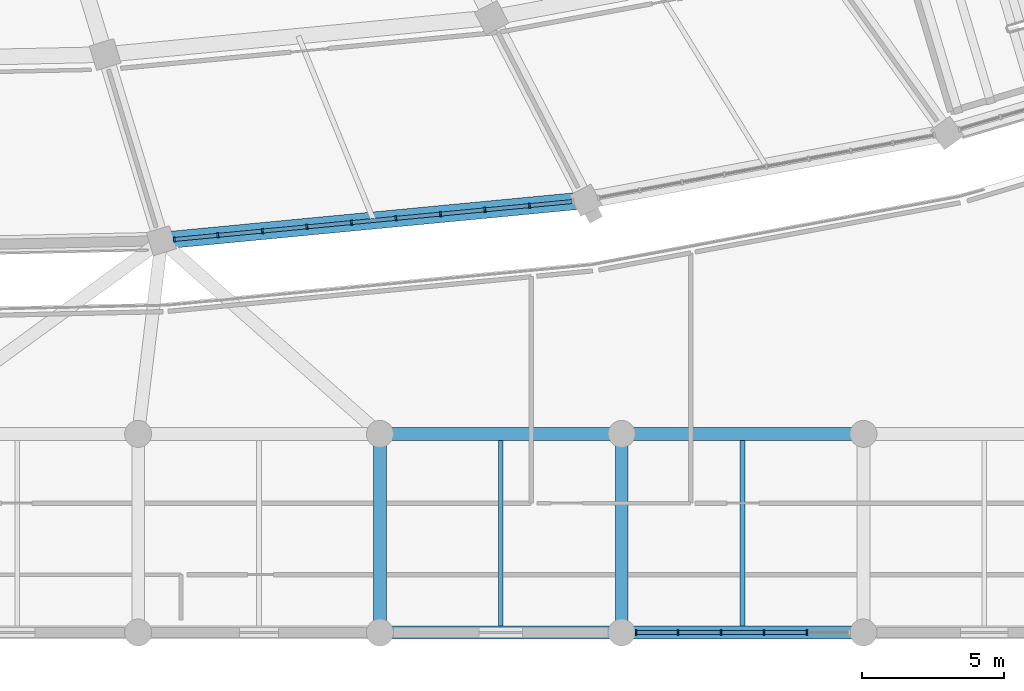
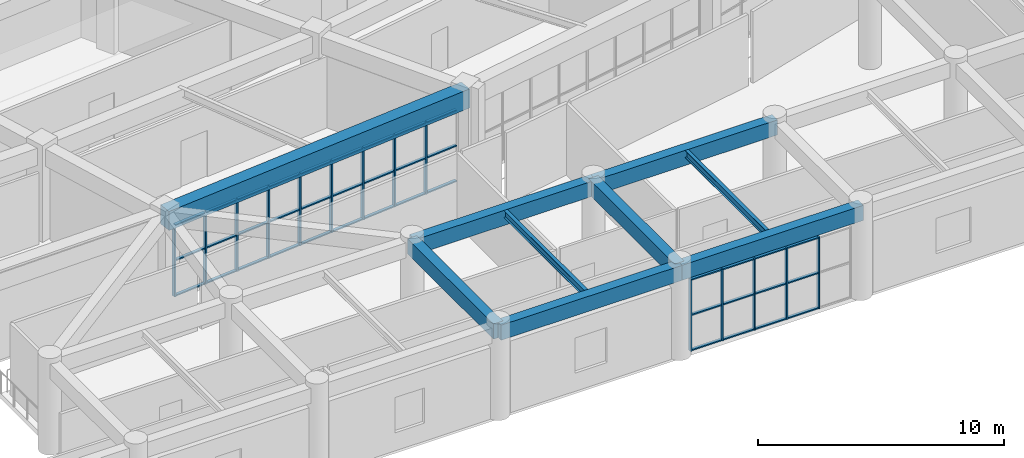
# One storey, part 34 of 152: 53 members, 9 beams, 2 elements without a shape of their own.
"""IFC4 building model written with IfcOpenShell, lengths in metres."""

import ifcopenshell
import ifcopenshell.guid

model = None  # the IFC model being written
_history = None  # IfcOwnerHistory: only IFC2X3 demands one
_inside = {}  # id of a spatial element -> (the spatial element, [elements in it])
_under = {}  # id of a project, library or spatial element -> (it, [spatial elements below it])
_declared = {}  # id of a project -> (the project, [libraries it declares])
_typed = {}  # id of a type object -> (the type object, [elements of that type])
_made_of = {}  # id of a material, layer set ... -> (it, [elements and type objects made of it])


def new_model(schema):
    """Start an empty IFC model of exactly this schema.

    Asked for "IFC4X3", IfcOpenShell would pick the latest addendum, in which some entities
    have other attributes; the version numbers below select the first issue.
    IFC2X3 requires an IfcOwnerHistory on every rooted entity: one is made here for all.
    """
    global model, _history
    if schema == "IFC4X3":
        model = ifcopenshell.file(schema_version=(4, 3, 0, 0))
    else:
        model = ifcopenshell.file(schema=schema)
    _inside.clear()
    _under.clear()
    _declared.clear()
    _typed.clear()
    _made_of.clear()
    _history = None
    if model.schema == "IFC2X3":
        org = make("IfcOrganization", Name="unknown")
        user = make(
            "IfcPersonAndOrganization",
            ThePerson=make("IfcPerson", FamilyName="unknown"),
            TheOrganization=org,
        )
        app = make(
            "IfcApplication",
            ApplicationDeveloper=org,
            Version="unknown",
            ApplicationFullName="unknown",
            ApplicationIdentifier="unknown",
        )
        _history = make(
            "IfcOwnerHistory",
            OwningUser=user,
            OwningApplication=app,
            ChangeAction="ADDED",
            CreationDate=0,
        )
    return model


def make(cls, **values):
    """One entity of the class cls with the attributes given. An attribute that is None is left unset."""
    return model.create_entity(
        cls, **{name: value for name, value in values.items() if value is not None}
    )


def rooted(cls, **values):
    """An entity with a GlobalId (a new one), such as an element, a storey or a relation."""
    return make(cls, GlobalId=ifcopenshell.guid.new(), OwnerHistory=_history, **values)


def si_unit(unit_type, name, prefix=None):
    """IfcSIUnit, for example si_unit("LENGTHUNIT", "METRE", prefix="MILLI")."""
    return make("IfcSIUnit", UnitType=unit_type, Prefix=prefix, Name=name)


def assignment(units):
    """IfcUnitAssignment: the units of a project."""
    return None if units is None else make("IfcUnitAssignment", Units=units)


def point(xyz):
    """IfcCartesianPoint."""
    return None if xyz is None else make("IfcCartesianPoint", Coordinates=xyz)


def direction(xyz):
    """IfcDirection."""
    return None if xyz is None else make("IfcDirection", DirectionRatios=xyz)


def frame(location, z_axis=None, x_axis=None):
    """IfcAxis2Placement3D, a coordinate frame: its origin and axes. An axis left out is left unset."""
    return make(
        "IfcAxis2Placement3D",
        Location=point(location),
        Axis=direction(z_axis),
        RefDirection=direction(x_axis),
    )


def frame_2d(location, x_axis=None):
    """IfcAxis2Placement2D, a coordinate frame in the plane: its origin and x axis."""
    return make(
        "IfcAxis2Placement2D", Location=point(location), RefDirection=direction(x_axis)
    )


def origin():
    """The frame at (0, 0, 0) with its axes left unset."""
    return frame((0.0, 0.0, 0.0))


def origin_2d():
    """The frame at (0, 0) in the plane with its x axis left unset."""
    return frame_2d((0.0, 0.0))


def place(relative_to, where):
    """IfcLocalPlacement: puts the frame where relative to a parent placement (None: the world)."""
    return make(
        "IfcLocalPlacement", PlacementRelTo=relative_to, RelativePlacement=where
    )


def context(
    kind, dimensions, precision=None, world=None, true_north=None, identifier=None
):
    """IfcGeometricRepresentationContext, for example the 3D "Model" context."""
    return make(
        "IfcGeometricRepresentationContext",
        ContextIdentifier=identifier,
        ContextType=kind,
        CoordinateSpaceDimension=dimensions,
        Precision=precision,
        WorldCoordinateSystem=world,
        TrueNorth=true_north,
    )


def subcontext(parent, identifier, kind, view, scale=None):
    """IfcGeometricRepresentationSubContext, for example "Body" below "Model"."""
    return make(
        "IfcGeometricRepresentationSubContext",
        ContextIdentifier=identifier,
        ContextType=kind,
        ParentContext=parent,
        TargetScale=scale,
        TargetView=view,
    )


def project(units=None, contexts=None):
    """IfcProject with its units and contexts."""
    return rooted(
        "IfcProject",
        Name="project",
        RepresentationContexts=contexts,
        UnitsInContext=assignment(units),
    )


def spatial(cls, under=None, at=None, **own):
    """A site, building, storey or space (cls), placed at a placement, below another one or the project."""
    s = rooted(cls, ObjectPlacement=at, **own)
    if under is not None:
        _under.setdefault(under.id(), (under, []))[1].append(s)
    return s


def profile(cls, at=None, kind="AREA", **sizes):
    """A parametric profile (cls). Its sizes go by their IFC names, for example OverallWidth=200.0."""
    return make(cls, ProfileType=kind, Position=at, **sizes)


def rectangle(**sizes):
    """IfcRectangleProfileDef."""
    return profile("IfcRectangleProfileDef", **sizes)


def i_section(**sizes):
    """IfcIShapeProfileDef."""
    return profile("IfcIShapeProfileDef", **sizes)


def extrude(swept, where, along, depth):
    """IfcExtrudedAreaSolid: the profile swept, set in the frame where, extruded along a direction by depth."""
    return make(
        "IfcExtrudedAreaSolid",
        SweptArea=swept,
        Position=where,
        ExtrudedDirection=direction(along),
        Depth=depth,
    )


def shape(context_of_items, identifier, shape_type, items):
    """IfcShapeRepresentation: the items that make up one representation, for example the "Body"."""
    return make(
        "IfcShapeRepresentation",
        ContextOfItems=context_of_items,
        RepresentationIdentifier=identifier,
        RepresentationType=shape_type,
        Items=items,
    )


def material(Name=None, Category=None):
    """IfcMaterial."""
    return make("IfcMaterial", Name=Name, Category=Category)


def layer(
    of_material, thickness, ventilated=None, Name=None, Category=None, Priority=None
):
    """IfcMaterialLayer: one layer of a wall or slab, of a material (None: an air gap)."""
    return make(
        "IfcMaterialLayer",
        Material=of_material,
        LayerThickness=thickness,
        IsVentilated=ventilated,
        Name=Name,
        Category=Category,
        Priority=Priority,
    )


def layer_set(layers, Name=None):
    """IfcMaterialLayerSet."""
    return make("IfcMaterialLayerSet", MaterialLayers=layers, LayerSetName=Name)


def material_profile(
    of_material, cross_section, Name=None, Category=None, Priority=None
):
    """IfcMaterialProfile: a cross section and its material."""
    return make(
        "IfcMaterialProfile",
        Name=Name,
        Material=of_material,
        Profile=cross_section,
        Priority=Priority,
        Category=Category,
    )


def profile_set(profiles, Name=None, composite=None):
    """IfcMaterialProfileSet."""
    return make(
        "IfcMaterialProfileSet",
        Name=Name,
        MaterialProfiles=profiles,
        CompositeProfile=composite,
    )


def made_of(thing, what):
    """Note that an element or type object is made of a material, layer set ...; save() writes the relation."""
    if what is not None:
        _made_of.setdefault(what.id(), (what, []))[1].append(thing)
    return thing


def type_object(cls, material=None, **own):
    """A type object (cls), such as IfcWallType, which elements share."""
    return made_of(rooted(cls, **own), material)


def element(
    cls,
    number,
    at=None,
    inside=None,
    cuts=None,
    type_object=None,
    material=None,
    context=None,
    identifier="Body",
    shape_type=None,
    held_by="IfcProductDefinitionShape",
    body=None,
    shapes=None,
    **own,
):
    """One element of the class cls, such as IfcWall. Its Tag is "e" and its number.

    at: its placement. inside: the storey or other place that contains it. cuts: it is an
    opening in that element (IfcRelVoidsElement). A single representation is given by context,
    identifier, shape_type and body (its items); several are given by shapes. held_by: the class
    of the entity that holds the representations. save() writes the other relations.
    """
    e = rooted(cls, Tag="e%d" % number, ObjectPlacement=at, **own)
    if body is not None:
        shapes = [shape(context, identifier, shape_type, body)]
    if shapes is not None:
        e.Representation = make(held_by, Representations=shapes)
    if inside is not None:
        _inside.setdefault(inside.id(), (inside, []))[1].append(e)
    if cuts is not None:
        rooted(
            "IfcRelVoidsElement", RelatingBuildingElement=cuts, RelatedOpeningElement=e
        )
    if type_object is not None:
        _typed.setdefault(type_object.id(), (type_object, []))[1].append(e)
    return made_of(e, material)


def aggregate(whole, parts):
    """IfcRelAggregates: a whole, such as a stair, and the parts it consists of."""
    return rooted("IfcRelAggregates", RelatingObject=whole, RelatedObjects=parts)


def save(model, path):
    """Write the relations noted so far, then the file.

    IfcRelAggregates (storeys below a building ...), IfcRelContainedInSpatialStructure (elements
    in a storey), IfcRelDefinesByType, IfcRelAssociatesMaterial and IfcRelDeclares: one each for
    every whole, place, type object, material and project.
    """
    for whole, parts in _under.values():
        aggregate(whole, parts)
    for where, things in _inside.values():
        rooted(
            "IfcRelContainedInSpatialStructure",
            RelatedElements=things,
            RelatingStructure=where,
        )
    for kind, things in _typed.values():
        rooted("IfcRelDefinesByType", RelatedObjects=things, RelatingType=kind)
    for what, things in _made_of.values():
        rooted("IfcRelAssociatesMaterial", RelatedObjects=things, RelatingMaterial=what)
    for by, libraries in _declared.values():
        rooted("IfcRelDeclares", RelatingContext=by, RelatedDefinitions=libraries)
    model.write(path)


model = new_model("IFC4")

# Units and contexts
model_context = context("Model", 3, precision=1e-05, world=origin(), true_north=direction((0.0, 1.0)))
body_context = subcontext(model_context, "Body", "Model", "MODEL_VIEW")
ifc_project = project(units=[si_unit("LENGTHUNIT", "METRE"), si_unit("AREAUNIT", "SQUARE_METRE"), si_unit("VOLUMEUNIT", "CUBIC_METRE"), si_unit("PLANEANGLEUNIT", "RADIAN"), si_unit("MASSUNIT", "GRAM", prefix="KILO")], contexts=[model_context])

# Site, building, storey
site_placement = place(None, origin())
site = spatial("IfcSite", under=ifc_project, at=site_placement, CompositionType="ELEMENT")
building_placement = place(site_placement, origin())
building = spatial("IfcBuilding", under=site, at=building_placement, Name="Mphavela Belvedere Stadium", CompositionType="ELEMENT")
storey_placement = place(building_placement, frame((0.0, 0.0, 5.39990234375)))
storey = spatial("IfcBuildingStorey", under=building, at=storey_placement, Name="L01", CompositionType="ELEMENT", Elevation=5.39990234375)

# Beams
ifc_material_1 = material(Name="Concrete C40/50", Category="concrete")
ifc_material_profile_1 = material_profile(ifc_material_1, rectangle(XDim=0.60009765625, YDim=0.949951171875, at=origin_2d()), Name="RC 600x950")
ifc_profile_set_1 = profile_set([ifc_material_profile_1], Name="Concrete C40/50")
beam_type_1 = type_object("IfcBeamType", Name="BM-ENTABLATURE-950", PredefinedType="SPANDREL", material=ifc_profile_set_1)
beam_1_placement = place(storey_placement, frame((137.114501953125, 13.80615234375, 4.0751953125), z_axis=(0.995483415661, 0.094935605244, 0.0), x_axis=(-0.094935605244, 0.995483415661, 0.0)))
element("IfcBeam", 1, at=beam_1_placement, inside=storey, type_object=beam_type_1, Name="Circumferential girder L01 R4-38", PredefinedType="SPANDREL", context=body_context, shape_type="SweptSolid", body=[
    extrude(rectangle(XDim=0.60009765625, YDim=0.949951171875, at=origin_2d()), origin(), (0.0, 0.0, 1.0), 15.026123046875),
])
ifc_material_2 = material(Name="Steel S355", Category="steel")
ifc_material_profile_2 = material_profile(ifc_material_2, i_section(OverallWidth=0.169921875, OverallDepth=0.360107421875, WebThickness=0.008056640625, FlangeThickness=0.0126953125, at=origin_2d()), Name="IPE 360")
ifc_profile_set_2 = profile_set([ifc_material_profile_2], Name="Steel S355")
beam_type_2 = type_object("IfcBeamType", Name="BM-JOIST-IPE360", PredefinedType="JOIST", material=ifc_profile_set_2)
for number, where, z_axis, x_axis, name in (
    (2, (149.073974609375, 0.22509765625, 4.360107421875), (0.0, 1.0, 0.0), (-1.0, 0.0, 0.0), "South Axial Triumphal Peristyle Portico secondary joist L01 18-1"),
    (3, (157.592529296875, 0.22509765625, 4.360107421875), (0.0, 1.0, 0.0), (-1.0, 0.0, 0.0), "South Axial Triumphal Peristyle Portico secondary joist L01 19-1"),
):
    element("IfcBeam", number, at=place(storey_placement, frame(where, z_axis=z_axis, x_axis=x_axis)), inside=storey, type_object=beam_type_2, Name=name, PredefinedType="JOIST", context=body_context, shape_type="SweptSolid", body=[
        extrude(i_section(OverallWidth=0.169921875, OverallDepth=0.360107421875, WebThickness=0.008056640625, FlangeThickness=0.0126953125, at=origin_2d()), origin(), (0.0, 0.0, 1.0), 6.5498046875),
    ])
ifc_material_3 = material(Name="Concrete C40/50", Category="concrete")
ifc_material_profile_3 = material_profile(ifc_material_3, rectangle(XDim=0.449951171875, YDim=0.75, at=origin_2d()), Name="RC 450x750")
ifc_profile_set_3 = profile_set([ifc_material_profile_3], Name="Concrete C40/50")
beam_type_3 = type_object("IfcBeamType", Name="BM-RC450x750", PredefinedType="BEAM", material=ifc_profile_set_3)
beam_2_placement = place(storey_placement, frame((144.81494140625, 0.0, 4.1650390625), z_axis=(1.0, 0.0, 0.0), x_axis=(0.0, 1.0, 0.0)))
element("IfcBeam", 4, at=beam_2_placement, inside=storey, type_object=beam_type_3, Name="South Axial Triumphal Peristyle Portico entablature beam X L01 18-1", PredefinedType="BEAM", context=body_context, shape_type="SweptSolid", body=[
    extrude(rectangle(XDim=0.449951171875, YDim=0.75, at=origin_2d()), origin(), (0.0, 0.0, 1.0), 8.51806640625),
])
beam_3_placement = place(storey_placement, frame((144.81494140625, 0.0, 4.1650390625), z_axis=(0.0, 1.0, 0.0), x_axis=(-1.0, 0.0, 0.0)))
element("IfcBeam", 5, at=beam_3_placement, inside=storey, type_object=beam_type_3, Name="South Axial Triumphal Peristyle Portico entablature beam Y L01 18-1", PredefinedType="BEAM", context=body_context, shape_type="SweptSolid", body=[
    extrude(rectangle(XDim=0.449951171875, YDim=0.75, at=origin_2d()), origin(), (0.0, 0.0, 1.0), 7.0),
])
beam_4_placement = place(storey_placement, frame((144.81494140625, 7.0, 4.1650390625), z_axis=(1.0, 0.0, 0.0), x_axis=(0.0, 1.0, 0.0)))
element("IfcBeam", 6, at=beam_4_placement, inside=storey, type_object=beam_type_3, Name="South Axial Triumphal Peristyle Portico entablature beam X L01 18-2", PredefinedType="BEAM", context=body_context, shape_type="SweptSolid", body=[
    extrude(rectangle(XDim=0.449951171875, YDim=0.75, at=origin_2d()), origin(), (0.0, 0.0, 1.0), 8.51806640625),
])
beam_5_placement = place(storey_placement, frame((153.3330078125, 0.0, 4.1650390625), z_axis=(1.0, 0.0, 0.0), x_axis=(0.0, 1.0, 0.0)))
element("IfcBeam", 7, at=beam_5_placement, inside=storey, type_object=beam_type_3, Name="South Axial Triumphal Peristyle Portico entablature beam X L01 19-1", PredefinedType="BEAM", context=body_context, shape_type="SweptSolid", body=[
    extrude(rectangle(XDim=0.449951171875, YDim=0.75, at=origin_2d()), origin(), (0.0, 0.0, 1.0), 8.51904296875),
])
beam_6_placement = place(storey_placement, frame((153.3330078125, 0.0, 4.1650390625), z_axis=(0.0, 1.0, 0.0), x_axis=(-1.0, 0.0, 0.0)))
element("IfcBeam", 8, at=beam_6_placement, inside=storey, type_object=beam_type_3, Name="South Axial Triumphal Peristyle Portico entablature beam Y L01 19-1", PredefinedType="BEAM", context=body_context, shape_type="SweptSolid", body=[
    extrude(rectangle(XDim=0.449951171875, YDim=0.75, at=origin_2d()), origin(), (0.0, 0.0, 1.0), 7.0),
])
beam_7_placement = place(storey_placement, frame((153.3330078125, 7.0, 4.1650390625), z_axis=(1.0, 0.0, 0.0), x_axis=(0.0, 1.0, 0.0)))
element("IfcBeam", 9, at=beam_7_placement, inside=storey, type_object=beam_type_3, Name="South Axial Triumphal Peristyle Portico entablature beam X L01 19-2", PredefinedType="BEAM", context=body_context, shape_type="SweptSolid", body=[
    extrude(rectangle(XDim=0.449951171875, YDim=0.75, at=origin_2d()), origin(), (0.0, 0.0, 1.0), 8.51904296875),
])

# Curtain wall, members
ifc_material_4 = material(Name="Anodised bronze unitised curtain wall framing")
ifc_layer = layer(ifc_material_4, 0.199951171875)
ifc_layer_set = layer_set([ifc_layer], Name="Anodised bronze unitised curtain wall framing")
curtain_wall_type = type_object("IfcCurtainWallType", Name="CW-UNIT-05", PredefinedType="USERDEFINED", material=ifc_layer_set)
curtain_wall_1_placement = place(storey_placement, origin())
curtain_wall_1 = element("IfcCurtainWall", 10, at=curtain_wall_1_placement, inside=storey, type_object=curtain_wall_type, Name="Belvedere colonnade curtain wall L01-38", ObjectType="UNITISED CURTAIN WALL", PredefinedType="USERDEFINED")
ifc_material_5 = material(Name="Anodised bronze extruded aluminium", Category="aluminium")
ifc_material_profile_4 = material_profile(ifc_material_5, rectangle(XDim=0.179931640625, YDim=0.06494140625, at=origin_2d()), Name="CW-MUL 180x65")
ifc_profile_set_4 = profile_set([ifc_material_profile_4], Name="Anodised bronze extruded aluminium")
member_type_1 = type_object("IfcMemberType", Name="CWM-180x65", PredefinedType="MULLION", material=ifc_profile_set_4)
member_1_placement = place(storey_placement, frame((137.568115234375, 13.849365234375, 0.0), z_axis=(0.0, 0.0, 1.0), x_axis=(-0.094922243726, 0.99548468981, 0.0)))
member_1 = element("IfcMember", 11, at=member_1_placement, type_object=member_type_1, Name="CW-05 mullion 1", PredefinedType="MULLION", context=body_context, shape_type="SweptSolid", body=[
    extrude(rectangle(XDim=0.179931640625, YDim=0.06494140625, at=origin_2d()), origin(), (0.0, 0.0, 1.0), 3.570068359375),
])
member_2_placement = place(storey_placement, frame((139.104248046875, 13.995849609375, 0.0), z_axis=(0.0, 0.0, 1.0), x_axis=(-0.094922243726, 0.99548468981, 0.0)))
member_2 = element("IfcMember", 12, at=member_2_placement, type_object=member_type_1, Name="CW-05 mullion 2", PredefinedType="MULLION", context=body_context, shape_type="SweptSolid", body=[
    extrude(rectangle(XDim=0.179931640625, YDim=0.06494140625, at=origin_2d()), origin(), (0.0, 0.0, 1.0), 3.570068359375),
])
member_3_placement = place(storey_placement, frame((140.672607421875, 14.1455078125, 0.0), z_axis=(0.0, 0.0, 1.0), x_axis=(-0.094922243726, 0.99548468981, 0.0)))
member_3 = element("IfcMember", 13, at=member_3_placement, type_object=member_type_1, Name="CW-05 mullion 3", PredefinedType="MULLION", context=body_context, shape_type="SweptSolid", body=[
    extrude(rectangle(XDim=0.179931640625, YDim=0.06494140625, at=origin_2d()), origin(), (0.0, 0.0, 1.0), 3.570068359375),
])
member_4_placement = place(storey_placement, frame((142.240966796875, 14.295166015625, 0.0), z_axis=(0.0, 0.0, 1.0), x_axis=(-0.094922243726, 0.99548468981, 0.0)))
member_4 = element("IfcMember", 14, at=member_4_placement, type_object=member_type_1, Name="CW-05 mullion 4", PredefinedType="MULLION", context=body_context, shape_type="SweptSolid", body=[
    extrude(rectangle(XDim=0.179931640625, YDim=0.06494140625, at=origin_2d()), origin(), (0.0, 0.0, 1.0), 3.570068359375),
])
member_5_placement = place(storey_placement, frame((143.8095703125, 14.444580078125, 0.0), z_axis=(0.0, 0.0, 1.0), x_axis=(-0.094922243726, 0.99548468981, 0.0)))
member_5 = element("IfcMember", 15, at=member_5_placement, type_object=member_type_1, Name="CW-05 mullion 5", PredefinedType="MULLION", context=body_context, shape_type="SweptSolid", body=[
    extrude(rectangle(XDim=0.179931640625, YDim=0.06494140625, at=origin_2d()), origin(), (0.0, 0.0, 1.0), 3.570068359375),
])
member_6_placement = place(storey_placement, frame((145.3779296875, 14.59423828125, 0.0), z_axis=(0.0, 0.0, 1.0), x_axis=(-0.094922243726, 0.99548468981, 0.0)))
member_6 = element("IfcMember", 16, at=member_6_placement, type_object=member_type_1, Name="CW-05 mullion 6", PredefinedType="MULLION", context=body_context, shape_type="SweptSolid", body=[
    extrude(rectangle(XDim=0.179931640625, YDim=0.06494140625, at=origin_2d()), origin(), (0.0, 0.0, 1.0), 3.570068359375),
])
member_7_placement = place(storey_placement, frame((146.9462890625, 14.74365234375, 0.0), z_axis=(0.0, 0.0, 1.0), x_axis=(-0.094922243726, 0.99548468981, 0.0)))
member_7 = element("IfcMember", 17, at=member_7_placement, type_object=member_type_1, Name="CW-05 mullion 7", PredefinedType="MULLION", context=body_context, shape_type="SweptSolid", body=[
    extrude(rectangle(XDim=0.179931640625, YDim=0.06494140625, at=origin_2d()), origin(), (0.0, 0.0, 1.0), 3.570068359375),
])
member_8_placement = place(storey_placement, frame((148.514892578125, 14.893310546875, 0.0), z_axis=(0.0, 0.0, 1.0), x_axis=(-0.094922243726, 0.99548468981, 0.0)))
member_8 = element("IfcMember", 18, at=member_8_placement, type_object=member_type_1, Name="CW-05 mullion 8", PredefinedType="MULLION", context=body_context, shape_type="SweptSolid", body=[
    extrude(rectangle(XDim=0.179931640625, YDim=0.06494140625, at=origin_2d()), origin(), (0.0, 0.0, 1.0), 3.570068359375),
])
member_9_placement = place(storey_placement, frame((150.083251953125, 15.042724609375, 0.0), z_axis=(0.0, 0.0, 1.0), x_axis=(-0.094922243726, 0.99548468981, 0.0)))
member_9 = element("IfcMember", 19, at=member_9_placement, type_object=member_type_1, Name="CW-05 mullion 9", PredefinedType="MULLION", context=body_context, shape_type="SweptSolid", body=[
    extrude(rectangle(XDim=0.179931640625, YDim=0.06494140625, at=origin_2d()), origin(), (0.0, 0.0, 1.0), 3.570068359375),
])

curtain_wall_2_placement = place(storey_placement, origin())
curtain_wall_2 = element("IfcCurtainWall", 20, at=curtain_wall_2_placement, inside=storey, type_object=curtain_wall_type, Name="South Axial Triumphal Peristyle Portico gallery curtain wall L01-19", ObjectType="UNITISED CURTAIN WALL", PredefinedType="USERDEFINED")
member_10_placement = place(storey_placement, frame((159.864501953125, 0.0, 0.0), z_axis=(0.0, 0.0, 1.0), x_axis=(0.0, -1.0, 0.0)))
member_10 = element("IfcMember", 21, at=member_10_placement, type_object=member_type_1, Name="CW-05 mullion 2", PredefinedType="MULLION", context=body_context, shape_type="SweptSolid", body=[
    extrude(rectangle(XDim=0.179931640625, YDim=0.06494140625, at=origin_2d()), origin(), (0.0, 0.0, 1.0), 3.56005859375),
])
member_11_placement = place(storey_placement, frame((158.349853515625, 0.0, 0.0), z_axis=(0.0, 0.0, 1.0), x_axis=(0.0, -1.0, 0.0)))
member_11 = element("IfcMember", 22, at=member_11_placement, type_object=member_type_1, Name="CW-05 mullion 3", PredefinedType="MULLION", context=body_context, shape_type="SweptSolid", body=[
    extrude(rectangle(XDim=0.179931640625, YDim=0.06494140625, at=origin_2d()), origin(), (0.0, 0.0, 1.0), 3.56005859375),
])
member_12_placement = place(storey_placement, frame((156.835205078125, 0.0, 0.0), z_axis=(0.0, 0.0, 1.0), x_axis=(0.0, -1.0, 0.0)))
member_12 = element("IfcMember", 23, at=member_12_placement, type_object=member_type_1, Name="CW-05 mullion 4", PredefinedType="MULLION", context=body_context, shape_type="SweptSolid", body=[
    extrude(rectangle(XDim=0.179931640625, YDim=0.06494140625, at=origin_2d()), origin(), (0.0, 0.0, 1.0), 3.56005859375),
])
member_13_placement = place(storey_placement, frame((155.320556640625, 0.0, 0.0), z_axis=(0.0, 0.0, 1.0), x_axis=(0.0, -1.0, 0.0)))
member_13 = element("IfcMember", 24, at=member_13_placement, type_object=member_type_1, Name="CW-05 mullion 5", PredefinedType="MULLION", context=body_context, shape_type="SweptSolid", body=[
    extrude(rectangle(XDim=0.179931640625, YDim=0.06494140625, at=origin_2d()), origin(), (0.0, 0.0, 1.0), 3.56005859375),
])
member_14_placement = place(storey_placement, frame((153.83837890625, 0.0, 0.0), z_axis=(0.0, 0.0, 1.0), x_axis=(0.0, -1.0, 0.0)))
member_14 = element("IfcMember", 25, at=member_14_placement, type_object=member_type_1, Name="CW-05 mullion 6", PredefinedType="MULLION", context=body_context, shape_type="SweptSolid", body=[
    extrude(rectangle(XDim=0.179931640625, YDim=0.06494140625, at=origin_2d()), origin(), (0.0, 0.0, 1.0), 3.56005859375),
])

# Member
ifc_material_6 = material(Name="Anodised bronze extruded aluminium", Category="aluminium")
ifc_material_profile_5 = material_profile(ifc_material_6, rectangle(XDim=0.139892578125, YDim=0.06005859375, at=origin_2d()), Name="CW-TRN 140x60")
ifc_profile_set_5 = profile_set([ifc_material_profile_5], Name="Anodised bronze extruded aluminium")
member_type_2 = type_object("IfcMemberType", Name="CWT-140x60", PredefinedType="USERDEFINED", material=ifc_profile_set_5)
member_15_placement = place(storey_placement, frame((137.600341796875, 13.8525390625, 0.030029296875), z_axis=(0.995479870054, 0.094972776718, 0.0), x_axis=(-0.094972776718, 0.995479870054, 0.0)))
member_15 = element("IfcMember", 26, at=member_15_placement, type_object=member_type_2, Name="CW-05 transom 1.1", ObjectType="TRANSOM", PredefinedType="USERDEFINED", context=body_context, shape_type="SweptSolid", body=[
    extrude(rectangle(XDim=0.139892578125, YDim=0.06005859375, at=origin_2d()), origin(), (0.0, 0.0, 1.0), 1.47802734375),
])

member_16_placement = place(storey_placement, frame((137.600341796875, 13.8525390625, 1.78515625), z_axis=(0.995479870054, 0.094972776718, 0.0), x_axis=(-0.094972776718, 0.995479870054, 0.0)))
member_16 = element("IfcMember", 27, at=member_16_placement, type_object=member_type_2, Name="CW-05 transom 1.2", ObjectType="TRANSOM", PredefinedType="USERDEFINED", context=body_context, shape_type="SweptSolid", body=[
    extrude(rectangle(XDim=0.139892578125, YDim=0.06005859375, at=origin_2d()), origin(), (0.0, 0.0, 1.0), 1.47802734375),
])

member_17_placement = place(storey_placement, frame((137.600341796875, 13.8525390625, 3.5400390625), z_axis=(0.995479870054, 0.094972776718, 0.0), x_axis=(-0.094972776718, 0.995479870054, 0.0)))
member_17 = element("IfcMember", 28, at=member_17_placement, type_object=member_type_2, Name="CW-05 transom 1.3", ObjectType="TRANSOM", PredefinedType="USERDEFINED", context=body_context, shape_type="SweptSolid", body=[
    extrude(rectangle(XDim=0.139892578125, YDim=0.06005859375, at=origin_2d()), origin(), (0.0, 0.0, 1.0), 1.47802734375),
])

member_18_placement = place(storey_placement, frame((139.136474609375, 13.9990234375, 0.030029296875), z_axis=(0.99548893232, 0.094877740424, 0.0), x_axis=(-0.094877740424, 0.99548893232, 0.0)))
member_18 = element("IfcMember", 29, at=member_18_placement, type_object=member_type_2, Name="CW-05 transom 2.1", ObjectType="TRANSOM", PredefinedType="USERDEFINED", context=body_context, shape_type="SweptSolid", body=[
    extrude(rectangle(XDim=0.139892578125, YDim=0.06005859375, at=origin_2d()), origin(), (0.0, 0.0, 1.0), 1.510498046875),
])

member_19_placement = place(storey_placement, frame((139.136474609375, 13.9990234375, 1.78515625), z_axis=(0.99548893232, 0.094877740424, 0.0), x_axis=(-0.094877740424, 0.99548893232, 0.0)))
member_19 = element("IfcMember", 30, at=member_19_placement, type_object=member_type_2, Name="CW-05 transom 2.2", ObjectType="TRANSOM", PredefinedType="USERDEFINED", context=body_context, shape_type="SweptSolid", body=[
    extrude(rectangle(XDim=0.139892578125, YDim=0.06005859375, at=origin_2d()), origin(), (0.0, 0.0, 1.0), 1.510498046875),
])

member_20_placement = place(storey_placement, frame((139.136474609375, 13.9990234375, 3.5400390625), z_axis=(0.99548893232, 0.094877740424, 0.0), x_axis=(-0.094877740424, 0.99548893232, 0.0)))
member_20 = element("IfcMember", 31, at=member_20_placement, type_object=member_type_2, Name="CW-05 transom 2.3", ObjectType="TRANSOM", PredefinedType="USERDEFINED", context=body_context, shape_type="SweptSolid", body=[
    extrude(rectangle(XDim=0.139892578125, YDim=0.06005859375, at=origin_2d()), origin(), (0.0, 0.0, 1.0), 1.510498046875),
])

member_21_placement = place(storey_placement, frame((140.704833984375, 14.148681640625, 0.030029296875), z_axis=(0.995490386942, 0.094862476808, 0.0), x_axis=(-0.094862476808, 0.995490386942, 0.0)))
member_21 = element("IfcMember", 32, at=member_21_placement, type_object=member_type_2, Name="CW-05 transom 3.1", ObjectType="TRANSOM", PredefinedType="USERDEFINED", context=body_context, shape_type="SweptSolid", body=[
    extrude(rectangle(XDim=0.139892578125, YDim=0.06005859375, at=origin_2d()), origin(), (0.0, 0.0, 1.0), 1.5107421875),
])

member_22_placement = place(storey_placement, frame((140.704833984375, 14.148681640625, 1.78515625), z_axis=(0.995490386942, 0.094862476808, 0.0), x_axis=(-0.094862476808, 0.995490386942, 0.0)))
member_22 = element("IfcMember", 33, at=member_22_placement, type_object=member_type_2, Name="CW-05 transom 3.2", ObjectType="TRANSOM", PredefinedType="USERDEFINED", context=body_context, shape_type="SweptSolid", body=[
    extrude(rectangle(XDim=0.139892578125, YDim=0.06005859375, at=origin_2d()), origin(), (0.0, 0.0, 1.0), 1.5107421875),
])

member_23_placement = place(storey_placement, frame((140.704833984375, 14.148681640625, 3.5400390625), z_axis=(0.995490386942, 0.094862476808, 0.0), x_axis=(-0.094862476808, 0.995490386942, 0.0)))
member_23 = element("IfcMember", 34, at=member_23_placement, type_object=member_type_2, Name="CW-05 transom 3.3", ObjectType="TRANSOM", PredefinedType="USERDEFINED", context=body_context, shape_type="SweptSolid", body=[
    extrude(rectangle(XDim=0.139892578125, YDim=0.06005859375, at=origin_2d()), origin(), (0.0, 0.0, 1.0), 1.5107421875),
])

member_24_placement = place(storey_placement, frame((142.2734375, 14.298095703125, 0.030029296875), z_axis=(0.995473653607, 0.09503791335, 0.0), x_axis=(-0.09503791335, 0.995473653607, 0.0)))
member_24 = element("IfcMember", 35, at=member_24_placement, type_object=member_type_2, Name="CW-05 transom 4.1", ObjectType="TRANSOM", PredefinedType="USERDEFINED", context=body_context, shape_type="SweptSolid", body=[
    extrude(rectangle(XDim=0.139892578125, YDim=0.06005859375, at=origin_2d()), origin(), (0.0, 0.0, 1.0), 1.510498046875),
])

member_25_placement = place(storey_placement, frame((142.2734375, 14.298095703125, 1.78515625), z_axis=(0.995473653607, 0.09503791335, 0.0), x_axis=(-0.09503791335, 0.995473653607, 0.0)))
member_25 = element("IfcMember", 36, at=member_25_placement, type_object=member_type_2, Name="CW-05 transom 4.2", ObjectType="TRANSOM", PredefinedType="USERDEFINED", context=body_context, shape_type="SweptSolid", body=[
    extrude(rectangle(XDim=0.139892578125, YDim=0.06005859375, at=origin_2d()), origin(), (0.0, 0.0, 1.0), 1.510498046875),
])

member_26_placement = place(storey_placement, frame((142.2734375, 14.298095703125, 3.5400390625), z_axis=(0.995473653607, 0.09503791335, 0.0), x_axis=(-0.09503791335, 0.995473653607, 0.0)))
member_26 = element("IfcMember", 37, at=member_26_placement, type_object=member_type_2, Name="CW-05 transom 4.3", ObjectType="TRANSOM", PredefinedType="USERDEFINED", context=body_context, shape_type="SweptSolid", body=[
    extrude(rectangle(XDim=0.139892578125, YDim=0.06005859375, at=origin_2d()), origin(), (0.0, 0.0, 1.0), 1.510498046875),
])

member_27_placement = place(storey_placement, frame((143.841796875, 14.44775390625, 0.030029296875), z_axis=(0.99548893232, 0.094877740424, 0.0), x_axis=(-0.094877740424, 0.99548893232, 0.0)))
member_27 = element("IfcMember", 38, at=member_27_placement, type_object=member_type_2, Name="CW-05 transom 5.1", ObjectType="TRANSOM", PredefinedType="USERDEFINED", context=body_context, shape_type="SweptSolid", body=[
    extrude(rectangle(XDim=0.139892578125, YDim=0.06005859375, at=origin_2d()), origin(), (0.0, 0.0, 1.0), 1.510498046875),
])

member_28_placement = place(storey_placement, frame((143.841796875, 14.44775390625, 1.78515625), z_axis=(0.99548893232, 0.094877740424, 0.0), x_axis=(-0.094877740424, 0.99548893232, 0.0)))
member_28 = element("IfcMember", 39, at=member_28_placement, type_object=member_type_2, Name="CW-05 transom 5.2", ObjectType="TRANSOM", PredefinedType="USERDEFINED", context=body_context, shape_type="SweptSolid", body=[
    extrude(rectangle(XDim=0.139892578125, YDim=0.06005859375, at=origin_2d()), origin(), (0.0, 0.0, 1.0), 1.510498046875),
])

member_29_placement = place(storey_placement, frame((143.841796875, 14.44775390625, 3.5400390625), z_axis=(0.99548893232, 0.094877740424, 0.0), x_axis=(-0.094877740424, 0.99548893232, 0.0)))
member_29 = element("IfcMember", 40, at=member_29_placement, type_object=member_type_2, Name="CW-05 transom 5.3", ObjectType="TRANSOM", PredefinedType="USERDEFINED", context=body_context, shape_type="SweptSolid", body=[
    extrude(rectangle(XDim=0.139892578125, YDim=0.06005859375, at=origin_2d()), origin(), (0.0, 0.0, 1.0), 1.510498046875),
])

member_30_placement = place(storey_placement, frame((145.41015625, 14.59716796875, 0.030029296875), z_axis=(0.995475113122, 0.095022624434, 0.0), x_axis=(-0.095022624434, 0.995475113122, 0.0)))
member_30 = element("IfcMember", 41, at=member_30_placement, type_object=member_type_2, Name="CW-05 transom 6.1", ObjectType="TRANSOM", PredefinedType="USERDEFINED", context=body_context, shape_type="SweptSolid", body=[
    extrude(rectangle(XDim=0.139892578125, YDim=0.06005859375, at=origin_2d()), origin(), (0.0, 0.0, 1.0), 1.5107421875),
])

member_31_placement = place(storey_placement, frame((145.41015625, 14.59716796875, 1.78515625), z_axis=(0.995475113122, 0.095022624434, 0.0), x_axis=(-0.095022624434, 0.995475113122, 0.0)))
member_31 = element("IfcMember", 42, at=member_31_placement, type_object=member_type_2, Name="CW-05 transom 6.2", ObjectType="TRANSOM", PredefinedType="USERDEFINED", context=body_context, shape_type="SweptSolid", body=[
    extrude(rectangle(XDim=0.139892578125, YDim=0.06005859375, at=origin_2d()), origin(), (0.0, 0.0, 1.0), 1.5107421875),
])

member_32_placement = place(storey_placement, frame((145.41015625, 14.59716796875, 3.5400390625), z_axis=(0.995475113122, 0.095022624434, 0.0), x_axis=(-0.095022624434, 0.995475113122, 0.0)))
member_32 = element("IfcMember", 43, at=member_32_placement, type_object=member_type_2, Name="CW-05 transom 6.3", ObjectType="TRANSOM", PredefinedType="USERDEFINED", context=body_context, shape_type="SweptSolid", body=[
    extrude(rectangle(XDim=0.139892578125, YDim=0.06005859375, at=origin_2d()), origin(), (0.0, 0.0, 1.0), 1.5107421875),
])

member_33_placement = place(storey_placement, frame((146.978759765625, 14.746826171875, 0.030029296875), z_axis=(0.99548893232, 0.094877740424, 0.0), x_axis=(-0.094877740424, 0.99548893232, 0.0)))
member_33 = element("IfcMember", 44, at=member_33_placement, type_object=member_type_2, Name="CW-05 transom 7.1", ObjectType="TRANSOM", PredefinedType="USERDEFINED", context=body_context, shape_type="SweptSolid", body=[
    extrude(rectangle(XDim=0.139892578125, YDim=0.06005859375, at=origin_2d()), origin(), (0.0, 0.0, 1.0), 1.510498046875),
])

member_34_placement = place(storey_placement, frame((146.978759765625, 14.746826171875, 1.78515625), z_axis=(0.99548893232, 0.094877740424, 0.0), x_axis=(-0.094877740424, 0.99548893232, 0.0)))
member_34 = element("IfcMember", 45, at=member_34_placement, type_object=member_type_2, Name="CW-05 transom 7.2", ObjectType="TRANSOM", PredefinedType="USERDEFINED", context=body_context, shape_type="SweptSolid", body=[
    extrude(rectangle(XDim=0.139892578125, YDim=0.06005859375, at=origin_2d()), origin(), (0.0, 0.0, 1.0), 1.510498046875),
])

member_35_placement = place(storey_placement, frame((146.978759765625, 14.746826171875, 3.5400390625), z_axis=(0.99548893232, 0.094877740424, 0.0), x_axis=(-0.094877740424, 0.99548893232, 0.0)))
member_35 = element("IfcMember", 46, at=member_35_placement, type_object=member_type_2, Name="CW-05 transom 7.3", ObjectType="TRANSOM", PredefinedType="USERDEFINED", context=body_context, shape_type="SweptSolid", body=[
    extrude(rectangle(XDim=0.139892578125, YDim=0.06005859375, at=origin_2d()), origin(), (0.0, 0.0, 1.0), 1.510498046875),
])

member_36_placement = place(storey_placement, frame((148.547119140625, 14.896484375, 0.030029296875), z_axis=(0.99548893232, 0.094877740424, 0.0), x_axis=(-0.094877740424, 0.99548893232, 0.0)))
member_36 = element("IfcMember", 47, at=member_36_placement, type_object=member_type_2, Name="CW-05 transom 8.1", ObjectType="TRANSOM", PredefinedType="USERDEFINED", context=body_context, shape_type="SweptSolid", body=[
    extrude(rectangle(XDim=0.139892578125, YDim=0.06005859375, at=origin_2d()), origin(), (0.0, 0.0, 1.0), 1.510498046875),
])

member_37_placement = place(storey_placement, frame((148.547119140625, 14.896484375, 1.78515625), z_axis=(0.99548893232, 0.094877740424, 0.0), x_axis=(-0.094877740424, 0.99548893232, 0.0)))
member_37 = element("IfcMember", 48, at=member_37_placement, type_object=member_type_2, Name="CW-05 transom 8.2", ObjectType="TRANSOM", PredefinedType="USERDEFINED", context=body_context, shape_type="SweptSolid", body=[
    extrude(rectangle(XDim=0.139892578125, YDim=0.06005859375, at=origin_2d()), origin(), (0.0, 0.0, 1.0), 1.510498046875),
])

member_38_placement = place(storey_placement, frame((148.547119140625, 14.896484375, 3.5400390625), z_axis=(0.99548893232, 0.094877740424, 0.0), x_axis=(-0.094877740424, 0.99548893232, 0.0)))
member_38 = element("IfcMember", 49, at=member_38_placement, type_object=member_type_2, Name="CW-05 transom 8.3", ObjectType="TRANSOM", PredefinedType="USERDEFINED", context=body_context, shape_type="SweptSolid", body=[
    extrude(rectangle(XDim=0.139892578125, YDim=0.06005859375, at=origin_2d()), origin(), (0.0, 0.0, 1.0), 1.510498046875),
])

member_39_placement = place(storey_placement, frame((150.11572265625, 15.0458984375, 0.030029296875), z_axis=(0.995478379881, 0.094988395027, 0.0), x_axis=(-0.094988395027, 0.995478379881, 0.0)))
member_39 = element("IfcMember", 50, at=member_39_placement, type_object=member_type_2, Name="CW-05 transom 9.1", ObjectType="TRANSOM", PredefinedType="USERDEFINED", context=body_context, shape_type="SweptSolid", body=[
    extrude(rectangle(XDim=0.139892578125, YDim=0.06005859375, at=origin_2d()), origin(), (0.0, 0.0, 1.0), 1.477783203125),
])

member_40_placement = place(storey_placement, frame((150.11572265625, 15.0458984375, 1.78515625), z_axis=(0.995478379881, 0.094988395027, 0.0), x_axis=(-0.094988395027, 0.995478379881, 0.0)))
member_40 = element("IfcMember", 51, at=member_40_placement, type_object=member_type_2, Name="CW-05 transom 9.2", ObjectType="TRANSOM", PredefinedType="USERDEFINED", context=body_context, shape_type="SweptSolid", body=[
    extrude(rectangle(XDim=0.139892578125, YDim=0.06005859375, at=origin_2d()), origin(), (0.0, 0.0, 1.0), 1.477783203125),
])

member_41_placement = place(storey_placement, frame((150.11572265625, 15.0458984375, 3.5400390625), z_axis=(0.995478379881, 0.094988395027, 0.0), x_axis=(-0.094988395027, 0.995478379881, 0.0)))
member_41 = element("IfcMember", 52, at=member_41_placement, type_object=member_type_2, Name="CW-05 transom 9.3", ObjectType="TRANSOM", PredefinedType="USERDEFINED", context=body_context, shape_type="SweptSolid", body=[
    extrude(rectangle(XDim=0.139892578125, YDim=0.06005859375, at=origin_2d()), origin(), (0.0, 0.0, 1.0), 1.477783203125),
])

aggregate(curtain_wall_1, [member_1, member_2, member_3, member_4, member_5, member_6, member_7, member_8, member_9, member_15, member_16, member_17, member_18, member_19, member_20, member_21, member_22, member_23, member_24, member_25, member_26, member_27, member_28, member_29, member_30, member_31, member_32, member_33, member_34, member_35, member_36, member_37, member_38, member_39, member_40, member_41])

member_42_placement = place(storey_placement, frame((159.831787109375, 0.0, 0.030029296875), z_axis=(-1.0, 0.0, 0.0), x_axis=(0.0, -1.0, 0.0)))
member_42 = element("IfcMember", 53, at=member_42_placement, type_object=member_type_2, Name="CW-05 transom 2.1", ObjectType="TRANSOM", PredefinedType="USERDEFINED", context=body_context, shape_type="SweptSolid", body=[
    extrude(rectangle(XDim=0.139892578125, YDim=0.06005859375, at=origin_2d()), origin(), (0.0, 0.0, 1.0), 1.449462890625),
])

member_43_placement = place(storey_placement, frame((159.831787109375, 0.0, 1.780029296875), z_axis=(-1.0, 0.0, 0.0), x_axis=(0.0, -1.0, 0.0)))
member_43 = element("IfcMember", 54, at=member_43_placement, type_object=member_type_2, Name="CW-05 transom 2.2", ObjectType="TRANSOM", PredefinedType="USERDEFINED", context=body_context, shape_type="SweptSolid", body=[
    extrude(rectangle(XDim=0.139892578125, YDim=0.06005859375, at=origin_2d()), origin(), (0.0, 0.0, 1.0), 1.449462890625),
])

member_44_placement = place(storey_placement, frame((159.831787109375, 0.0, 3.530029296875), z_axis=(-1.0, 0.0, 0.0), x_axis=(0.0, -1.0, 0.0)))
member_44 = element("IfcMember", 55, at=member_44_placement, type_object=member_type_2, Name="CW-05 transom 2.3", ObjectType="TRANSOM", PredefinedType="USERDEFINED", context=body_context, shape_type="SweptSolid", body=[
    extrude(rectangle(XDim=0.139892578125, YDim=0.06005859375, at=origin_2d()), origin(), (0.0, 0.0, 1.0), 1.449462890625),
])

member_45_placement = place(storey_placement, frame((158.3173828125, 0.0, 0.030029296875), z_axis=(-1.0, 0.0, 0.0), x_axis=(0.0, -1.0, 0.0)))
member_45 = element("IfcMember", 56, at=member_45_placement, type_object=member_type_2, Name="CW-05 transom 3.1", ObjectType="TRANSOM", PredefinedType="USERDEFINED", context=body_context, shape_type="SweptSolid", body=[
    extrude(rectangle(XDim=0.139892578125, YDim=0.06005859375, at=origin_2d()), origin(), (0.0, 0.0, 1.0), 1.44970703125),
])

member_46_placement = place(storey_placement, frame((158.3173828125, 0.0, 1.780029296875), z_axis=(-1.0, 0.0, 0.0), x_axis=(0.0, -1.0, 0.0)))
member_46 = element("IfcMember", 57, at=member_46_placement, type_object=member_type_2, Name="CW-05 transom 3.2", ObjectType="TRANSOM", PredefinedType="USERDEFINED", context=body_context, shape_type="SweptSolid", body=[
    extrude(rectangle(XDim=0.139892578125, YDim=0.06005859375, at=origin_2d()), origin(), (0.0, 0.0, 1.0), 1.44970703125),
])

member_47_placement = place(storey_placement, frame((158.3173828125, 0.0, 3.530029296875), z_axis=(-1.0, 0.0, 0.0), x_axis=(0.0, -1.0, 0.0)))
member_47 = element("IfcMember", 58, at=member_47_placement, type_object=member_type_2, Name="CW-05 transom 3.3", ObjectType="TRANSOM", PredefinedType="USERDEFINED", context=body_context, shape_type="SweptSolid", body=[
    extrude(rectangle(XDim=0.139892578125, YDim=0.06005859375, at=origin_2d()), origin(), (0.0, 0.0, 1.0), 1.44970703125),
])

member_48_placement = place(storey_placement, frame((156.802734375, 0.0, 0.030029296875), z_axis=(-1.0, 0.0, 0.0), x_axis=(0.0, -1.0, 0.0)))
member_48 = element("IfcMember", 59, at=member_48_placement, type_object=member_type_2, Name="CW-05 transom 4.1", ObjectType="TRANSOM", PredefinedType="USERDEFINED", context=body_context, shape_type="SweptSolid", body=[
    extrude(rectangle(XDim=0.139892578125, YDim=0.06005859375, at=origin_2d()), origin(), (0.0, 0.0, 1.0), 1.44970703125),
])

member_49_placement = place(storey_placement, frame((156.802734375, 0.0, 1.780029296875), z_axis=(-1.0, 0.0, 0.0), x_axis=(0.0, -1.0, 0.0)))
member_49 = element("IfcMember", 60, at=member_49_placement, type_object=member_type_2, Name="CW-05 transom 4.2", ObjectType="TRANSOM", PredefinedType="USERDEFINED", context=body_context, shape_type="SweptSolid", body=[
    extrude(rectangle(XDim=0.139892578125, YDim=0.06005859375, at=origin_2d()), origin(), (0.0, 0.0, 1.0), 1.44970703125),
])

member_50_placement = place(storey_placement, frame((156.802734375, 0.0, 3.530029296875), z_axis=(-1.0, 0.0, 0.0), x_axis=(0.0, -1.0, 0.0)))
member_50 = element("IfcMember", 61, at=member_50_placement, type_object=member_type_2, Name="CW-05 transom 4.3", ObjectType="TRANSOM", PredefinedType="USERDEFINED", context=body_context, shape_type="SweptSolid", body=[
    extrude(rectangle(XDim=0.139892578125, YDim=0.06005859375, at=origin_2d()), origin(), (0.0, 0.0, 1.0), 1.44970703125),
])

member_51_placement = place(storey_placement, frame((155.2880859375, 0.0, 0.030029296875), z_axis=(-1.0, 0.0, 0.0), x_axis=(0.0, -1.0, 0.0)))
member_51 = element("IfcMember", 62, at=member_51_placement, type_object=member_type_2, Name="CW-05 transom 5.1", ObjectType="TRANSOM", PredefinedType="USERDEFINED", context=body_context, shape_type="SweptSolid", body=[
    extrude(rectangle(XDim=0.139892578125, YDim=0.06005859375, at=origin_2d()), origin(), (0.0, 0.0, 1.0), 1.4169921875),
])

member_52_placement = place(storey_placement, frame((155.2880859375, 0.0, 1.780029296875), z_axis=(-1.0, 0.0, 0.0), x_axis=(0.0, -1.0, 0.0)))
member_52 = element("IfcMember", 63, at=member_52_placement, type_object=member_type_2, Name="CW-05 transom 5.2", ObjectType="TRANSOM", PredefinedType="USERDEFINED", context=body_context, shape_type="SweptSolid", body=[
    extrude(rectangle(XDim=0.139892578125, YDim=0.06005859375, at=origin_2d()), origin(), (0.0, 0.0, 1.0), 1.4169921875),
])

member_53_placement = place(storey_placement, frame((155.2880859375, 0.0, 3.530029296875), z_axis=(-1.0, 0.0, 0.0), x_axis=(0.0, -1.0, 0.0)))
member_53 = element("IfcMember", 64, at=member_53_placement, type_object=member_type_2, Name="CW-05 transom 5.3", ObjectType="TRANSOM", PredefinedType="USERDEFINED", context=body_context, shape_type="SweptSolid", body=[
    extrude(rectangle(XDim=0.139892578125, YDim=0.06005859375, at=origin_2d()), origin(), (0.0, 0.0, 1.0), 1.4169921875),
])

aggregate(curtain_wall_2, [member_10, member_11, member_12, member_13, member_14, member_42, member_43, member_44, member_45, member_46, member_47, member_48, member_49, member_50, member_51, member_52, member_53])

save(model, "model.ifc")
